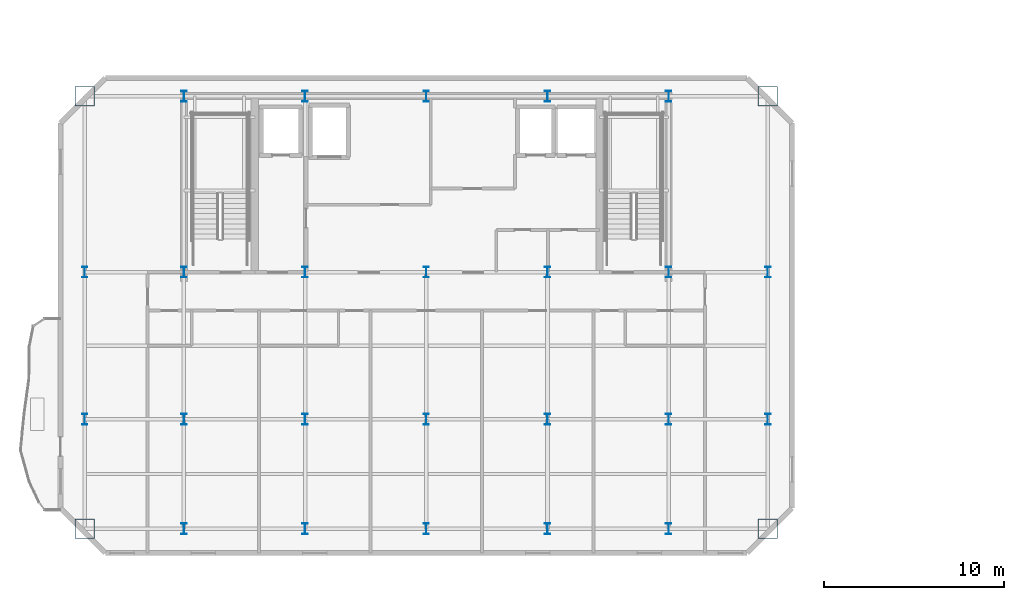
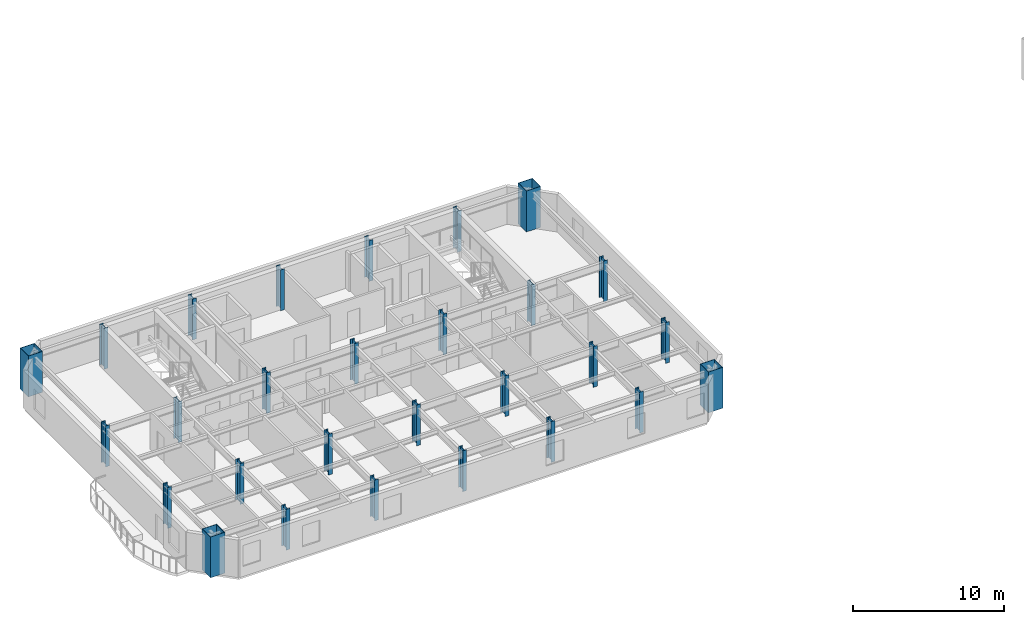
# One storey, part 1 of 14: 28 columns.
"""IFC4 building model written with IfcOpenShell, lengths in metres."""

from ifc_helpers import new_model, si_unit, direction, frame, origin, origin_2d, place, context, subcontext, project, spatial, hollow_rectangle, i_section, extrude, material, material_profile, profile_set, type_object, element, save


model = new_model("IFC4")

# Units and contexts
model_context = context("Model", 3, precision=1e-05, world=origin(), true_north=direction((0.0, 1.0)))
body_context = subcontext(model_context, "Body", "Model", "MODEL_VIEW")
ifc_project = project(units=[si_unit("LENGTHUNIT", "METRE"), si_unit("AREAUNIT", "SQUARE_METRE"), si_unit("VOLUMEUNIT", "CUBIC_METRE"), si_unit("PLANEANGLEUNIT", "RADIAN"), si_unit("MASSUNIT", "GRAM", prefix="KILO")], contexts=[model_context])

# Site, building, storey
site_placement = place(None, origin())
site = spatial("IfcSite", under=ifc_project, at=site_placement, CompositionType="ELEMENT")
building_placement = place(site_placement, origin())
building = spatial("IfcBuilding", under=site, at=building_placement, Name="Haevon Station Towers", CompositionType="ELEMENT")
storey_placement = place(building_placement, frame((0.0, 0.0, 205.5)))
storey = spatial("IfcBuildingStorey", under=building, at=storey_placement, Name="L56", CompositionType="ELEMENT", Elevation=205.5)

# Columns
ifc_material_1 = material(Name="Steel S460", Category="steel")
ifc_material_profile_1 = material_profile(ifc_material_1, hollow_rectangle(XDim=1.10009765625, YDim=1.10009765625, WallThickness=0.031982421875, at=origin_2d()), Name="BOX-1100x1100x32")
ifc_profile_set_1 = profile_set([ifc_material_profile_1], Name="Steel S460")
column_type_1 = type_object("IfcColumnType", Name="COL-MC5", PredefinedType="COLUMN", material=ifc_profile_set_1)
for number, where, z_axis, x_axis, name in (
    (1, (18.47509765625, 23.89990234375, 0.0), (0.0, 0.0, 1.0), (1.0, 0.0, 0.0), "COL-T1-L56-01-01"),
    (2, (18.47509765625, 48.0, 0.0), (0.0, 0.0, 1.0), (1.0, 0.0, 0.0), "COL-T1-L56-01-04"),
    (3, (56.52490234375, 23.89990234375, 0.0), (0.0, 0.0, 1.0), (1.0, 0.0, 0.0), "COL-T1-L56-07-01"),
    (4, (56.52490234375, 48.0, 0.0), (0.0, 0.0, 1.0), (1.0, 0.0, 0.0), "COL-T1-L56-07-04"),
):
    element("IfcColumn", number, at=place(storey_placement, frame(where, z_axis=z_axis, x_axis=x_axis)), inside=storey, type_object=column_type_1, Name=name, PredefinedType="COLUMN", context=body_context, shape_type="SweptSolid", body=[
        extrude(hollow_rectangle(XDim=1.10009765625, YDim=1.10009765625, WallThickness=0.031982421875, at=origin_2d()), origin(), (0.0, 0.0, 1.0), 3.300048828125),
    ])
ifc_material_2 = material(Name="Steel S355", Category="steel")
ifc_material_profile_2 = material_profile(ifc_material_2, i_section(OverallWidth=0.300048828125, OverallDepth=0.60009765625, WebThickness=0.013916015625, FlangeThickness=0.02490234375, at=origin_2d()), Name="H-600x300x14x25")
ifc_profile_set_2 = profile_set([ifc_material_profile_2], Name="Steel S355")
column_type_2 = type_object("IfcColumnType", Name="COL-TW4", PredefinedType="COLUMN", material=ifc_profile_set_2)
for number, where, z_axis, x_axis, name in (
    (5, (18.47509765625, 30.0, 0.0), (0.0, 0.0, 1.0), (1.0, 0.0, 0.0), "COL-T1-L56-01-02"),
    (6, (18.47509765625, 38.199951171875, 0.0), (0.0, 0.0, 1.0), (1.0, 0.0, 0.0), "COL-T1-L56-01-03"),
    (7, (24.0, 23.89990234375, 0.0), (0.0, 0.0, 1.0), (1.0, 0.0, 0.0), "COL-T1-L56-02-01"),
    (8, (24.0, 30.0, 0.0), (0.0, 0.0, 1.0), (1.0, 0.0, 0.0), "COL-T1-L56-02-02"),
    (9, (24.0, 38.199951171875, 0.0), (0.0, 0.0, 1.0), (1.0, 0.0, 0.0), "COL-T1-L56-02-03"),
    (10, (24.0, 48.0, 0.0), (0.0, 0.0, 1.0), (1.0, 0.0, 0.0), "COL-T1-L56-02-04"),
    (11, (30.75, 23.89990234375, 0.0), (0.0, 0.0, 1.0), (1.0, 0.0, 0.0), "COL-T1-L56-03-01"),
    (12, (30.75, 30.0, 0.0), (0.0, 0.0, 1.0), (1.0, 0.0, 0.0), "COL-T1-L56-03-02"),
    (13, (30.75, 38.199951171875, 0.0), (0.0, 0.0, 1.0), (1.0, 0.0, 0.0), "COL-T1-L56-03-03"),
    (14, (30.75, 48.0, 0.0), (0.0, 0.0, 1.0), (1.0, 0.0, 0.0), "COL-T1-L56-03-04"),
    (15, (37.5, 23.89990234375, 0.0), (0.0, 0.0, 1.0), (1.0, 0.0, 0.0), "COL-T1-L56-04-01"),
    (16, (37.5, 30.0, 0.0), (0.0, 0.0, 1.0), (1.0, 0.0, 0.0), "COL-T1-L56-04-02"),
    (17, (37.5, 38.199951171875, 0.0), (0.0, 0.0, 1.0), (1.0, 0.0, 0.0), "COL-T1-L56-04-03"),
    (18, (37.5, 48.0, 0.0), (0.0, 0.0, 1.0), (1.0, 0.0, 0.0), "COL-T1-L56-04-04"),
    (19, (44.25, 23.89990234375, 0.0), (0.0, 0.0, 1.0), (1.0, 0.0, 0.0), "COL-T1-L56-05-01"),
    (20, (44.25, 30.0, 0.0), (0.0, 0.0, 1.0), (1.0, 0.0, 0.0), "COL-T1-L56-05-02"),
    (21, (44.25, 38.199951171875, 0.0), (0.0, 0.0, 1.0), (1.0, 0.0, 0.0), "COL-T1-L56-05-03"),
    (22, (44.25, 48.0, 0.0), (0.0, 0.0, 1.0), (1.0, 0.0, 0.0), "COL-T1-L56-05-04"),
    (23, (51.0, 23.89990234375, 0.0), (0.0, 0.0, 1.0), (1.0, 0.0, 0.0), "COL-T1-L56-06-01"),
    (24, (51.0, 30.0, 0.0), (0.0, 0.0, 1.0), (1.0, 0.0, 0.0), "COL-T1-L56-06-02"),
    (25, (51.0, 38.199951171875, 0.0), (0.0, 0.0, 1.0), (1.0, 0.0, 0.0), "COL-T1-L56-06-03"),
    (26, (51.0, 48.0, 0.0), (0.0, 0.0, 1.0), (1.0, 0.0, 0.0), "COL-T1-L56-06-04"),
    (27, (56.52490234375, 30.0, 0.0), (0.0, 0.0, 1.0), (1.0, 0.0, 0.0), "COL-T1-L56-07-02"),
    (28, (56.52490234375, 38.199951171875, 0.0), (0.0, 0.0, 1.0), (1.0, 0.0, 0.0), "COL-T1-L56-07-03"),
):
    element("IfcColumn", number, at=place(storey_placement, frame(where, z_axis=z_axis, x_axis=x_axis)), inside=storey, type_object=column_type_2, Name=name, PredefinedType="COLUMN", context=body_context, shape_type="SweptSolid", body=[
        extrude(i_section(OverallWidth=0.300048828125, OverallDepth=0.60009765625, WebThickness=0.013916015625, FlangeThickness=0.02490234375, at=origin_2d()), origin(), (0.0, 0.0, 1.0), 3.300048828125),
    ])

save(model, "model.ifc")
